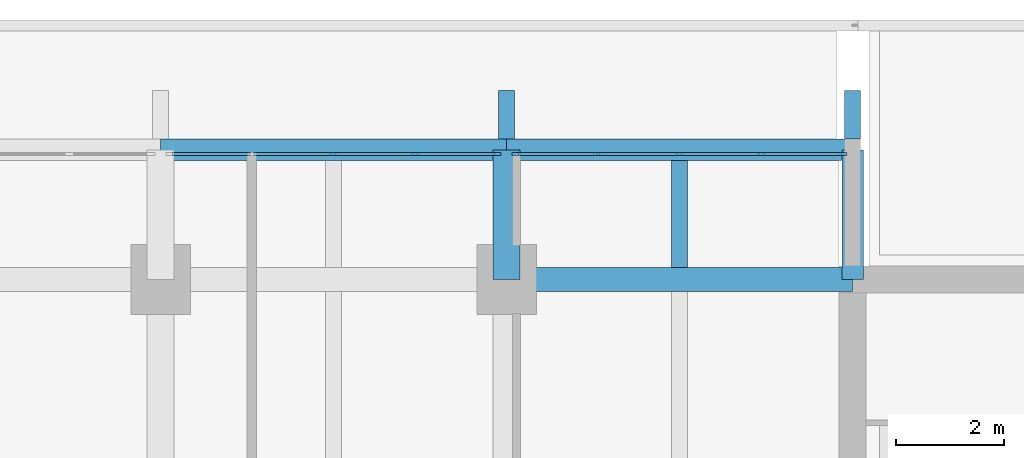
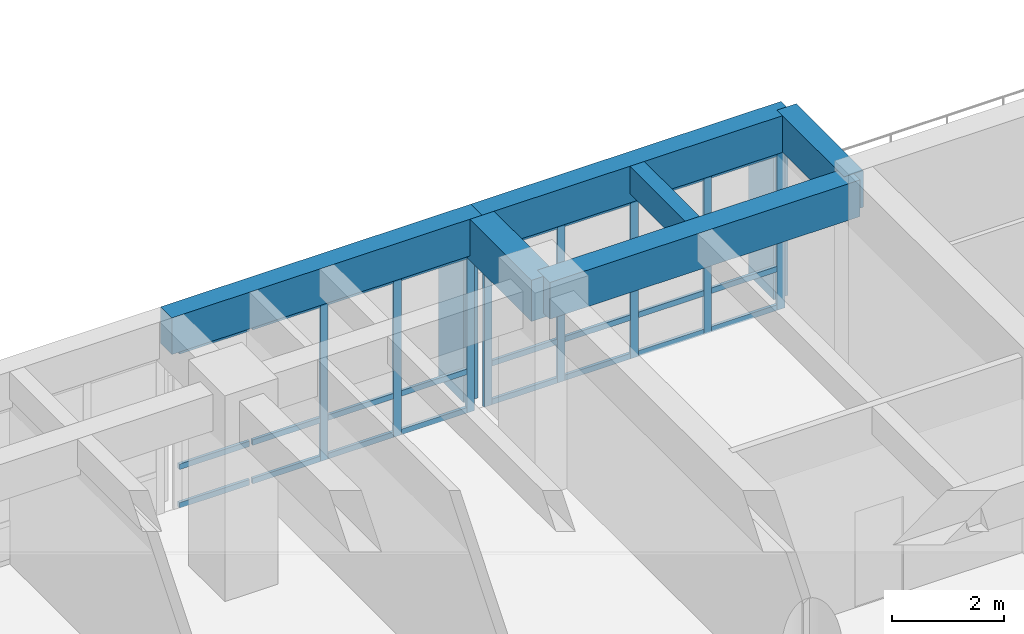
# One storey, part 7 of 21: 34 members, 6 beams, 2 elements without a shape of their own.
"""IFC4 building model written with IfcOpenShell, lengths in metres."""

from ifc_helpers import new_model, si_unit, direction, frame, origin, origin_2d, place, context, subcontext, project, spatial, rectangle, extrude, material, layer, layer_set, material_profile, profile_set, type_object, element, aggregate, save


model = new_model("IFC4")

# Units and contexts
model_context = context("Model", 3, precision=1e-05, world=origin(), true_north=direction((0.0, 1.0)))
body_context = subcontext(model_context, "Body", "Model", "MODEL_VIEW")
ifc_project = project(units=[si_unit("LENGTHUNIT", "METRE"), si_unit("AREAUNIT", "SQUARE_METRE"), si_unit("VOLUMEUNIT", "CUBIC_METRE"), si_unit("PLANEANGLEUNIT", "RADIAN"), si_unit("MASSUNIT", "GRAM", prefix="KILO")], contexts=[model_context])

# Site, building, storey
site_placement = place(None, origin())
site = spatial("IfcSite", under=ifc_project, at=site_placement, CompositionType="ELEMENT")
building_placement = place(site_placement, origin())
building = spatial("IfcBuilding", under=site, at=building_placement, Name="Fogon Plaza Fire Station and Headquarters Tower", CompositionType="ELEMENT")
storey_placement = place(building_placement, frame((0.0, 0.0, 8.39990234375)))
storey = spatial("IfcBuildingStorey", under=building, at=storey_placement, Name="L02", CompositionType="ELEMENT", Elevation=8.39990234375)

# Beams
ifc_material_1 = material(Name="Concrete C40", Category="concrete")
ifc_material_profile_1 = material_profile(ifc_material_1, rectangle(XDim=0.39990234375, YDim=0.800048828125, at=origin_2d()), Name="RC 400x800")
ifc_profile_set_1 = profile_set([ifc_material_profile_1], Name="Concrete C40")
beam_type_1 = type_object("IfcBeamType", Name="BEAM RC 400x800", PredefinedType="BEAM", material=ifc_profile_set_1)
beam_1_placement = place(storey_placement, frame((51.199951171875, 55.199951171875, 3.880126953125), z_axis=(1.0, 0.0, 0.0), x_axis=(0.0, 1.0, 0.0)))
element("IfcBeam", 1, at=beam_1_placement, inside=storey, type_object=beam_type_1, Name="beam-L02-049", PredefinedType="BEAM", context=body_context, shape_type="SweptSolid", body=[
    extrude(rectangle(XDim=0.39990234375, YDim=0.800048828125, at=origin_2d()), origin(), (0.0, 0.0, 1.0), 6.400146484375),
])
beam_2_placement = place(storey_placement, frame((57.60009765625, 55.199951171875, 3.880126953125), z_axis=(1.0, 0.0, 0.0), x_axis=(0.0, 1.0, 0.0)))
element("IfcBeam", 2, at=beam_2_placement, inside=storey, type_object=beam_type_1, Name="beam-L02-050", PredefinedType="BEAM", context=body_context, shape_type="SweptSolid", body=[
    extrude(rectangle(XDim=0.39990234375, YDim=0.800048828125, at=origin_2d()), origin(), (0.0, 0.0, 1.0), 6.39990234375),
])
ifc_material_2 = material(Name="Concrete C40", Category="concrete")
ifc_material_profile_2 = material_profile(ifc_material_2, rectangle(XDim=0.39990234375, YDim=0.800048828125, at=origin_2d()), Name="RC 400x800")
ifc_profile_set_2 = profile_set([ifc_material_profile_2], Name="Concrete C40")
beam_type_2 = type_object("IfcBeamType", Name="BEAM RC 400x800 SPAN 0.0 TO 3.0 M", PredefinedType="BEAM", material=ifc_profile_set_2)
beam_3_placement = place(storey_placement, frame((64.0, 52.800048828125, 3.880126953125), z_axis=(0.0, 1.0, 0.0), x_axis=(-1.0, 0.0, 0.0)))
element("IfcBeam", 3, at=beam_3_placement, inside=storey, type_object=beam_type_2, Name="beam-L02-054", PredefinedType="BEAM", context=body_context, shape_type="SweptSolid", body=[
    extrude(rectangle(XDim=0.39990234375, YDim=0.800048828125, at=origin_2d()), origin(), (0.0, 0.0, 1.0), 2.39990234375),
])
ifc_material_3 = material(Name="Concrete C40", Category="concrete")
ifc_material_profile_3 = material_profile(ifc_material_3, rectangle(XDim=0.449951171875, YDim=0.800048828125, at=origin_2d()), Name="RC 450x800")
ifc_profile_set_3 = profile_set([ifc_material_profile_3], Name="Concrete C40")
beam_type_3 = type_object("IfcBeamType", Name="BEAM RC 450x800", PredefinedType="BEAM", material=ifc_profile_set_3)
beam_4_placement = place(storey_placement, frame((57.60009765625, 52.800048828125, 3.880126953125), z_axis=(1.0, 0.0, 0.0), x_axis=(0.0, 1.0, 0.0)))
element("IfcBeam", 4, at=beam_4_placement, inside=storey, type_object=beam_type_3, Name="beam-L02-038", PredefinedType="BEAM", context=body_context, shape_type="SweptSolid", body=[
    extrude(rectangle(XDim=0.449951171875, YDim=0.800048828125, at=origin_2d()), origin(), (0.0, 0.0, 1.0), 6.39990234375),
])
ifc_material_4 = material(Name="Concrete C40", Category="concrete")
ifc_material_profile_4 = material_profile(ifc_material_4, rectangle(XDim=0.5, YDim=0.89990234375, at=origin_2d()), Name="RC 500x900")
ifc_profile_set_4 = profile_set([ifc_material_profile_4], Name="Concrete C40")
beam_type_4 = type_object("IfcBeamType", Name="BEAM RC 500x900 SPAN 0.0 TO 3.0 M", PredefinedType="BEAM", material=ifc_profile_set_4)
beam_5_placement = place(storey_placement, frame((57.60009765625, 52.800048828125, 3.830078125), z_axis=(0.0, 1.0, 0.0), x_axis=(-1.0, 0.0, 0.0)))
element("IfcBeam", 5, at=beam_5_placement, inside=storey, type_object=beam_type_4, Name="beam-L02-020", PredefinedType="BEAM", context=body_context, shape_type="SweptSolid", body=[
    extrude(rectangle(XDim=0.5, YDim=0.89990234375, at=origin_2d()), origin(), (0.0, 0.0, 1.0), 2.39990234375),
])

# Curtain wall, members
ifc_material_5 = material(Name="Aluminium and glass", Category="aluminium")
ifc_layer = layer(ifc_material_5, 0.14990234375)
ifc_layer_set = layer_set([ifc_layer], Name="Aluminium and glass")
curtain_wall_type = type_object("IfcCurtainWallType", Name="Unitised Curtain Wall Run 6100x3480", PredefinedType="NOTDEFINED", material=ifc_layer_set)
curtain_wall_1_placement = place(storey_placement, origin())
curtain_wall_1 = element("IfcCurtainWall", 6, at=curtain_wall_1_placement, inside=storey, type_object=curtain_wall_type, Name="CW-6100x3480 N5 L02", PredefinedType="NOTDEFINED")
ifc_material_6 = material(Name="Aluminium", Category="aluminium")
ifc_material_profile_5 = material_profile(ifc_material_6, rectangle(XDim=0.06005859375, YDim=0.159912109375, at=origin_2d()), Name="Curtain Wall Mullion 60x160")
ifc_profile_set_5 = profile_set([ifc_material_profile_5], Name="Aluminium")
member_type_1 = type_object("IfcMemberType", Name="Curtain Wall Mullion 60x160", PredefinedType="MULLION", material=ifc_profile_set_5)
member_1_placement = place(storey_placement, frame((54.39990234375, 55.1201171875, 0.0), z_axis=(0.0, 0.0, 1.0), x_axis=(0.0, 1.0, 0.0)))
member_1 = element("IfcMember", 7, at=member_1_placement, type_object=member_type_1, Name="CW-6100x3480 mullion 3", PredefinedType="MULLION", context=body_context, shape_type="SweptSolid", body=[
    extrude(rectangle(XDim=0.06005859375, YDim=0.159912109375, at=origin_2d()), origin(), (0.0, 0.0, 1.0), 3.47998046875),
])
member_2_placement = place(storey_placement, frame((55.909912109375, 55.1201171875, 0.0), z_axis=(0.0, 0.0, 1.0), x_axis=(0.0, 1.0, 0.0)))
member_2 = element("IfcMember", 8, at=member_2_placement, type_object=member_type_1, Name="CW-6100x3480 mullion 4", PredefinedType="MULLION", context=body_context, shape_type="SweptSolid", body=[
    extrude(rectangle(XDim=0.06005859375, YDim=0.159912109375, at=origin_2d()), origin(), (0.0, 0.0, 1.0), 3.47998046875),
])
member_3_placement = place(storey_placement, frame((57.419921875, 55.1201171875, 0.0), z_axis=(0.0, 0.0, 1.0), x_axis=(0.0, 1.0, 0.0)))
member_3 = element("IfcMember", 9, at=member_3_placement, type_object=member_type_1, Name="CW-6100x3480 mullion 5", PredefinedType="MULLION", context=body_context, shape_type="SweptSolid", body=[
    extrude(rectangle(XDim=0.06005859375, YDim=0.159912109375, at=origin_2d()), origin(), (0.0, 0.0, 1.0), 3.47998046875),
])

curtain_wall_2_placement = place(storey_placement, origin())
curtain_wall_2 = element("IfcCurtainWall", 10, at=curtain_wall_2_placement, inside=storey, type_object=curtain_wall_type, Name="CW-6100x3480 N6 L02", PredefinedType="NOTDEFINED")
member_4_placement = place(storey_placement, frame((57.780029296875, 55.1201171875, 0.0), z_axis=(0.0, 0.0, 1.0), x_axis=(0.0, 1.0, 0.0)))
member_4 = element("IfcMember", 11, at=member_4_placement, type_object=member_type_1, Name="CW-6100x3480 mullion 1", PredefinedType="MULLION", context=body_context, shape_type="SweptSolid", body=[
    extrude(rectangle(XDim=0.06005859375, YDim=0.159912109375, at=origin_2d()), origin(), (0.0, 0.0, 1.0), 3.47998046875),
])
member_5_placement = place(storey_placement, frame((59.2900390625, 55.1201171875, 0.0), z_axis=(0.0, 0.0, 1.0), x_axis=(0.0, 1.0, 0.0)))
member_5 = element("IfcMember", 12, at=member_5_placement, type_object=member_type_1, Name="CW-6100x3480 mullion 2", PredefinedType="MULLION", context=body_context, shape_type="SweptSolid", body=[
    extrude(rectangle(XDim=0.06005859375, YDim=0.159912109375, at=origin_2d()), origin(), (0.0, 0.0, 1.0), 3.47998046875),
])
member_6_placement = place(storey_placement, frame((60.800048828125, 55.1201171875, 0.0), z_axis=(0.0, 0.0, 1.0), x_axis=(0.0, 1.0, 0.0)))
member_6 = element("IfcMember", 13, at=member_6_placement, type_object=member_type_1, Name="CW-6100x3480 mullion 3", PredefinedType="MULLION", context=body_context, shape_type="SweptSolid", body=[
    extrude(rectangle(XDim=0.06005859375, YDim=0.159912109375, at=origin_2d()), origin(), (0.0, 0.0, 1.0), 3.47998046875),
])
member_7_placement = place(storey_placement, frame((62.31005859375, 55.1201171875, 0.0), z_axis=(0.0, 0.0, 1.0), x_axis=(0.0, 1.0, 0.0)))
member_7 = element("IfcMember", 14, at=member_7_placement, type_object=member_type_1, Name="CW-6100x3480 mullion 4", PredefinedType="MULLION", context=body_context, shape_type="SweptSolid", body=[
    extrude(rectangle(XDim=0.06005859375, YDim=0.159912109375, at=origin_2d()), origin(), (0.0, 0.0, 1.0), 3.47998046875),
])
member_8_placement = place(storey_placement, frame((63.820068359375, 55.1201171875, 0.0), z_axis=(0.0, 0.0, 1.0), x_axis=(0.0, 1.0, 0.0)))
member_8 = element("IfcMember", 15, at=member_8_placement, type_object=member_type_1, Name="CW-6100x3480 mullion 5", PredefinedType="MULLION", context=body_context, shape_type="SweptSolid", body=[
    extrude(rectangle(XDim=0.06005859375, YDim=0.159912109375, at=origin_2d()), origin(), (0.0, 0.0, 1.0), 3.47998046875),
])

# Member
ifc_material_7 = material(Name="Aluminium", Category="aluminium")
ifc_material_profile_6 = material_profile(ifc_material_7, rectangle(XDim=0.06005859375, YDim=0.1201171875, at=origin_2d()), Name="Curtain Wall Transom 60x120")
ifc_profile_set_6 = profile_set([ifc_material_profile_6], Name="Aluminium")
member_type_2 = type_object("IfcMemberType", Name="Curtain Wall Transom 60x120", PredefinedType="USERDEFINED", material=ifc_profile_set_6)
member_9_placement = place(storey_placement, frame((51.409912109375, 55.1201171875, 0.06005859375), z_axis=(1.0, 0.0, 0.0), x_axis=(0.0, 1.0, 0.0)))
member_9 = element("IfcMember", 16, at=member_9_placement, type_object=member_type_2, Name="CW-6100x3480 transom 1.1", ObjectType="TRANSOM", PredefinedType="USERDEFINED", context=body_context, shape_type="SweptSolid", body=[
    extrude(rectangle(XDim=0.06005859375, YDim=0.1201171875, at=origin_2d()), origin(), (0.0, 0.0, 1.0), 1.4501953125),
])

member_10_placement = place(storey_placement, frame((51.409912109375, 55.1201171875, 0.900146484375), z_axis=(1.0, 0.0, 0.0), x_axis=(0.0, 1.0, 0.0)))
member_10 = element("IfcMember", 17, at=member_10_placement, type_object=member_type_2, Name="CW-6100x3480 transom 1.2", ObjectType="TRANSOM", PredefinedType="USERDEFINED", context=body_context, shape_type="SweptSolid", body=[
    extrude(rectangle(XDim=0.06005859375, YDim=0.1201171875, at=origin_2d()), origin(), (0.0, 0.0, 1.0), 1.4501953125),
])

member_11_placement = place(storey_placement, frame((51.409912109375, 55.1201171875, 3.420166015625), z_axis=(1.0, 0.0, 0.0), x_axis=(0.0, 1.0, 0.0)))
member_11 = element("IfcMember", 18, at=member_11_placement, type_object=member_type_2, Name="CW-6100x3480 transom 1.3", ObjectType="TRANSOM", PredefinedType="USERDEFINED", context=body_context, shape_type="SweptSolid", body=[
    extrude(rectangle(XDim=0.06005859375, YDim=0.1201171875, at=origin_2d()), origin(), (0.0, 0.0, 1.0), 1.4501953125),
])

member_12_placement = place(storey_placement, frame((52.919921875, 55.1201171875, 0.06005859375), z_axis=(1.0, 0.0, 0.0), x_axis=(0.0, 1.0, 0.0)))
member_12 = element("IfcMember", 19, at=member_12_placement, type_object=member_type_2, Name="CW-6100x3480 transom 2.1", ObjectType="TRANSOM", PredefinedType="USERDEFINED", context=body_context, shape_type="SweptSolid", body=[
    extrude(rectangle(XDim=0.06005859375, YDim=0.1201171875, at=origin_2d()), origin(), (0.0, 0.0, 1.0), 1.4501953125),
])

member_13_placement = place(storey_placement, frame((52.919921875, 55.1201171875, 0.900146484375), z_axis=(1.0, 0.0, 0.0), x_axis=(0.0, 1.0, 0.0)))
member_13 = element("IfcMember", 20, at=member_13_placement, type_object=member_type_2, Name="CW-6100x3480 transom 2.2", ObjectType="TRANSOM", PredefinedType="USERDEFINED", context=body_context, shape_type="SweptSolid", body=[
    extrude(rectangle(XDim=0.06005859375, YDim=0.1201171875, at=origin_2d()), origin(), (0.0, 0.0, 1.0), 1.4501953125),
])

member_14_placement = place(storey_placement, frame((52.919921875, 55.1201171875, 3.420166015625), z_axis=(1.0, 0.0, 0.0), x_axis=(0.0, 1.0, 0.0)))
member_14 = element("IfcMember", 21, at=member_14_placement, type_object=member_type_2, Name="CW-6100x3480 transom 2.3", ObjectType="TRANSOM", PredefinedType="USERDEFINED", context=body_context, shape_type="SweptSolid", body=[
    extrude(rectangle(XDim=0.06005859375, YDim=0.1201171875, at=origin_2d()), origin(), (0.0, 0.0, 1.0), 1.4501953125),
])

member_15_placement = place(storey_placement, frame((54.429931640625, 55.1201171875, 0.06005859375), z_axis=(1.0, 0.0, 0.0), x_axis=(0.0, 1.0, 0.0)))
member_15 = element("IfcMember", 22, at=member_15_placement, type_object=member_type_2, Name="CW-6100x3480 transom 3.1", ObjectType="TRANSOM", PredefinedType="USERDEFINED", context=body_context, shape_type="SweptSolid", body=[
    extrude(rectangle(XDim=0.06005859375, YDim=0.1201171875, at=origin_2d()), origin(), (0.0, 0.0, 1.0), 1.449951171875),
])

member_16_placement = place(storey_placement, frame((54.429931640625, 55.1201171875, 0.900146484375), z_axis=(1.0, 0.0, 0.0), x_axis=(0.0, 1.0, 0.0)))
member_16 = element("IfcMember", 23, at=member_16_placement, type_object=member_type_2, Name="CW-6100x3480 transom 3.2", ObjectType="TRANSOM", PredefinedType="USERDEFINED", context=body_context, shape_type="SweptSolid", body=[
    extrude(rectangle(XDim=0.06005859375, YDim=0.1201171875, at=origin_2d()), origin(), (0.0, 0.0, 1.0), 1.449951171875),
])

member_17_placement = place(storey_placement, frame((54.429931640625, 55.1201171875, 3.420166015625), z_axis=(1.0, 0.0, 0.0), x_axis=(0.0, 1.0, 0.0)))
member_17 = element("IfcMember", 24, at=member_17_placement, type_object=member_type_2, Name="CW-6100x3480 transom 3.3", ObjectType="TRANSOM", PredefinedType="USERDEFINED", context=body_context, shape_type="SweptSolid", body=[
    extrude(rectangle(XDim=0.06005859375, YDim=0.1201171875, at=origin_2d()), origin(), (0.0, 0.0, 1.0), 1.449951171875),
])

member_18_placement = place(storey_placement, frame((55.93994140625, 55.1201171875, 0.06005859375), z_axis=(1.0, 0.0, 0.0), x_axis=(0.0, 1.0, 0.0)))
member_18 = element("IfcMember", 25, at=member_18_placement, type_object=member_type_2, Name="CW-6100x3480 transom 4.1", ObjectType="TRANSOM", PredefinedType="USERDEFINED", context=body_context, shape_type="SweptSolid", body=[
    extrude(rectangle(XDim=0.06005859375, YDim=0.1201171875, at=origin_2d()), origin(), (0.0, 0.0, 1.0), 1.449951171875),
])

member_19_placement = place(storey_placement, frame((55.93994140625, 55.1201171875, 0.900146484375), z_axis=(1.0, 0.0, 0.0), x_axis=(0.0, 1.0, 0.0)))
member_19 = element("IfcMember", 26, at=member_19_placement, type_object=member_type_2, Name="CW-6100x3480 transom 4.2", ObjectType="TRANSOM", PredefinedType="USERDEFINED", context=body_context, shape_type="SweptSolid", body=[
    extrude(rectangle(XDim=0.06005859375, YDim=0.1201171875, at=origin_2d()), origin(), (0.0, 0.0, 1.0), 1.449951171875),
])

member_20_placement = place(storey_placement, frame((55.93994140625, 55.1201171875, 3.420166015625), z_axis=(1.0, 0.0, 0.0), x_axis=(0.0, 1.0, 0.0)))
member_20 = element("IfcMember", 27, at=member_20_placement, type_object=member_type_2, Name="CW-6100x3480 transom 4.3", ObjectType="TRANSOM", PredefinedType="USERDEFINED", context=body_context, shape_type="SweptSolid", body=[
    extrude(rectangle(XDim=0.06005859375, YDim=0.1201171875, at=origin_2d()), origin(), (0.0, 0.0, 1.0), 1.449951171875),
])

aggregate(curtain_wall_1, [member_1, member_2, member_3, member_9, member_10, member_11, member_12, member_13, member_14, member_15, member_16, member_17, member_18, member_19, member_20])

member_21_placement = place(storey_placement, frame((57.81005859375, 55.1201171875, 0.06005859375), z_axis=(1.0, 0.0, 0.0), x_axis=(0.0, 1.0, 0.0)))
member_21 = element("IfcMember", 28, at=member_21_placement, type_object=member_type_2, Name="CW-6100x3480 transom 1.1", ObjectType="TRANSOM", PredefinedType="USERDEFINED", context=body_context, shape_type="SweptSolid", body=[
    extrude(rectangle(XDim=0.06005859375, YDim=0.1201171875, at=origin_2d()), origin(), (0.0, 0.0, 1.0), 1.449951171875),
])

member_22_placement = place(storey_placement, frame((57.81005859375, 55.1201171875, 0.900146484375), z_axis=(1.0, 0.0, 0.0), x_axis=(0.0, 1.0, 0.0)))
member_22 = element("IfcMember", 29, at=member_22_placement, type_object=member_type_2, Name="CW-6100x3480 transom 1.2", ObjectType="TRANSOM", PredefinedType="USERDEFINED", context=body_context, shape_type="SweptSolid", body=[
    extrude(rectangle(XDim=0.06005859375, YDim=0.1201171875, at=origin_2d()), origin(), (0.0, 0.0, 1.0), 1.449951171875),
])

member_23_placement = place(storey_placement, frame((57.81005859375, 55.1201171875, 3.420166015625), z_axis=(1.0, 0.0, 0.0), x_axis=(0.0, 1.0, 0.0)))
member_23 = element("IfcMember", 30, at=member_23_placement, type_object=member_type_2, Name="CW-6100x3480 transom 1.3", ObjectType="TRANSOM", PredefinedType="USERDEFINED", context=body_context, shape_type="SweptSolid", body=[
    extrude(rectangle(XDim=0.06005859375, YDim=0.1201171875, at=origin_2d()), origin(), (0.0, 0.0, 1.0), 1.449951171875),
])

member_24_placement = place(storey_placement, frame((59.320068359375, 55.1201171875, 0.06005859375), z_axis=(1.0, 0.0, 0.0), x_axis=(0.0, 1.0, 0.0)))
member_24 = element("IfcMember", 31, at=member_24_placement, type_object=member_type_2, Name="CW-6100x3480 transom 2.1", ObjectType="TRANSOM", PredefinedType="USERDEFINED", context=body_context, shape_type="SweptSolid", body=[
    extrude(rectangle(XDim=0.06005859375, YDim=0.1201171875, at=origin_2d()), origin(), (0.0, 0.0, 1.0), 1.449951171875),
])

member_25_placement = place(storey_placement, frame((59.320068359375, 55.1201171875, 0.900146484375), z_axis=(1.0, 0.0, 0.0), x_axis=(0.0, 1.0, 0.0)))
member_25 = element("IfcMember", 32, at=member_25_placement, type_object=member_type_2, Name="CW-6100x3480 transom 2.2", ObjectType="TRANSOM", PredefinedType="USERDEFINED", context=body_context, shape_type="SweptSolid", body=[
    extrude(rectangle(XDim=0.06005859375, YDim=0.1201171875, at=origin_2d()), origin(), (0.0, 0.0, 1.0), 1.449951171875),
])

member_26_placement = place(storey_placement, frame((59.320068359375, 55.1201171875, 3.420166015625), z_axis=(1.0, 0.0, 0.0), x_axis=(0.0, 1.0, 0.0)))
member_26 = element("IfcMember", 33, at=member_26_placement, type_object=member_type_2, Name="CW-6100x3480 transom 2.3", ObjectType="TRANSOM", PredefinedType="USERDEFINED", context=body_context, shape_type="SweptSolid", body=[
    extrude(rectangle(XDim=0.06005859375, YDim=0.1201171875, at=origin_2d()), origin(), (0.0, 0.0, 1.0), 1.449951171875),
])

member_27_placement = place(storey_placement, frame((60.830078125, 55.1201171875, 0.06005859375), z_axis=(1.0, 0.0, 0.0), x_axis=(0.0, 1.0, 0.0)))
member_27 = element("IfcMember", 34, at=member_27_placement, type_object=member_type_2, Name="CW-6100x3480 transom 3.1", ObjectType="TRANSOM", PredefinedType="USERDEFINED", context=body_context, shape_type="SweptSolid", body=[
    extrude(rectangle(XDim=0.06005859375, YDim=0.1201171875, at=origin_2d()), origin(), (0.0, 0.0, 1.0), 1.449951171875),
])

member_28_placement = place(storey_placement, frame((60.830078125, 55.1201171875, 0.900146484375), z_axis=(1.0, 0.0, 0.0), x_axis=(0.0, 1.0, 0.0)))
member_28 = element("IfcMember", 35, at=member_28_placement, type_object=member_type_2, Name="CW-6100x3480 transom 3.2", ObjectType="TRANSOM", PredefinedType="USERDEFINED", context=body_context, shape_type="SweptSolid", body=[
    extrude(rectangle(XDim=0.06005859375, YDim=0.1201171875, at=origin_2d()), origin(), (0.0, 0.0, 1.0), 1.449951171875),
])

member_29_placement = place(storey_placement, frame((60.830078125, 55.1201171875, 3.420166015625), z_axis=(1.0, 0.0, 0.0), x_axis=(0.0, 1.0, 0.0)))
member_29 = element("IfcMember", 36, at=member_29_placement, type_object=member_type_2, Name="CW-6100x3480 transom 3.3", ObjectType="TRANSOM", PredefinedType="USERDEFINED", context=body_context, shape_type="SweptSolid", body=[
    extrude(rectangle(XDim=0.06005859375, YDim=0.1201171875, at=origin_2d()), origin(), (0.0, 0.0, 1.0), 1.449951171875),
])

member_30_placement = place(storey_placement, frame((62.340087890625, 55.1201171875, 0.06005859375), z_axis=(1.0, 0.0, 0.0), x_axis=(0.0, 1.0, 0.0)))
member_30 = element("IfcMember", 37, at=member_30_placement, type_object=member_type_2, Name="CW-6100x3480 transom 4.1", ObjectType="TRANSOM", PredefinedType="USERDEFINED", context=body_context, shape_type="SweptSolid", body=[
    extrude(rectangle(XDim=0.06005859375, YDim=0.1201171875, at=origin_2d()), origin(), (0.0, 0.0, 1.0), 1.449951171875),
])

member_31_placement = place(storey_placement, frame((62.340087890625, 55.1201171875, 0.900146484375), z_axis=(1.0, 0.0, 0.0), x_axis=(0.0, 1.0, 0.0)))
member_31 = element("IfcMember", 38, at=member_31_placement, type_object=member_type_2, Name="CW-6100x3480 transom 4.2", ObjectType="TRANSOM", PredefinedType="USERDEFINED", context=body_context, shape_type="SweptSolid", body=[
    extrude(rectangle(XDim=0.06005859375, YDim=0.1201171875, at=origin_2d()), origin(), (0.0, 0.0, 1.0), 1.449951171875),
])

member_32_placement = place(storey_placement, frame((62.340087890625, 55.1201171875, 3.420166015625), z_axis=(1.0, 0.0, 0.0), x_axis=(0.0, 1.0, 0.0)))
member_32 = element("IfcMember", 39, at=member_32_placement, type_object=member_type_2, Name="CW-6100x3480 transom 4.3", ObjectType="TRANSOM", PredefinedType="USERDEFINED", context=body_context, shape_type="SweptSolid", body=[
    extrude(rectangle(XDim=0.06005859375, YDim=0.1201171875, at=origin_2d()), origin(), (0.0, 0.0, 1.0), 1.449951171875),
])

aggregate(curtain_wall_2, [member_4, member_5, member_6, member_7, member_8, member_21, member_22, member_23, member_24, member_25, member_26, member_27, member_28, member_29, member_30, member_31, member_32])

# Beam
ifc_material_8 = material(Name="Concrete C40", Category="concrete")
ifc_material_profile_7 = material_profile(ifc_material_8, rectangle(XDim=0.300048828125, YDim=0.60009765625, at=origin_2d()), Name="RC 300x600")
ifc_profile_set_7 = profile_set([ifc_material_profile_7], Name="Concrete C40")
beam_type_5 = type_object("IfcBeamType", Name="JOIST RC 300x600 SPAN 0.0 TO 3.0 M", PredefinedType="JOIST", material=ifc_profile_set_7)
beam_6_placement = place(storey_placement, frame((60.800048828125, 53.02490234375, 3.97998046875), z_axis=(0.0, 1.0, 0.0), x_axis=(-1.0, 0.0, 0.0)))
element("IfcBeam", 40, at=beam_6_placement, inside=storey, type_object=beam_type_5, Name="beam-L02-078", PredefinedType="JOIST", context=body_context, shape_type="SweptSolid", body=[
    extrude(rectangle(XDim=0.300048828125, YDim=0.60009765625, at=origin_2d()), origin(), (0.0, 0.0, 1.0), 1.97509765625),
])

# Members
ifc_material_9 = material(Name="Concrete C40 precast", Category="concrete")
ifc_material_profile_8 = material_profile(ifc_material_9, rectangle(XDim=0.300048828125, YDim=0.89990234375, at=origin_2d()), Name="Precast Concrete Post 300x900")
ifc_profile_set_8 = profile_set([ifc_material_profile_8], Name="Concrete C40 precast")
member_type_3 = type_object("IfcMemberType", Name="Precast Concrete Post 300x900", PredefinedType="POST", material=ifc_profile_set_8)
for number, where, z_axis, x_axis, name in (
    (41, (57.60009765625, 55.85009765625, 0.0), (0.0, 0.0, 1.0), (1.0, 0.0, 0.0), "Precast Post N L02"),
    (42, (64.0, 55.85009765625, 0.0), (0.0, 0.0, 1.0), (1.0, 0.0, 0.0), "Precast Post N L02"),
):
    element("IfcMember", number, at=place(storey_placement, frame(where, z_axis=z_axis, x_axis=x_axis)), inside=storey, type_object=member_type_3, Name=name, PredefinedType="POST", context=body_context, shape_type="SweptSolid", body=[
        extrude(rectangle(XDim=0.300048828125, YDim=0.89990234375, at=origin_2d()), origin(), (0.0, 0.0, 1.0), 3.47998046875),
    ])

save(model, "model.ifc")
